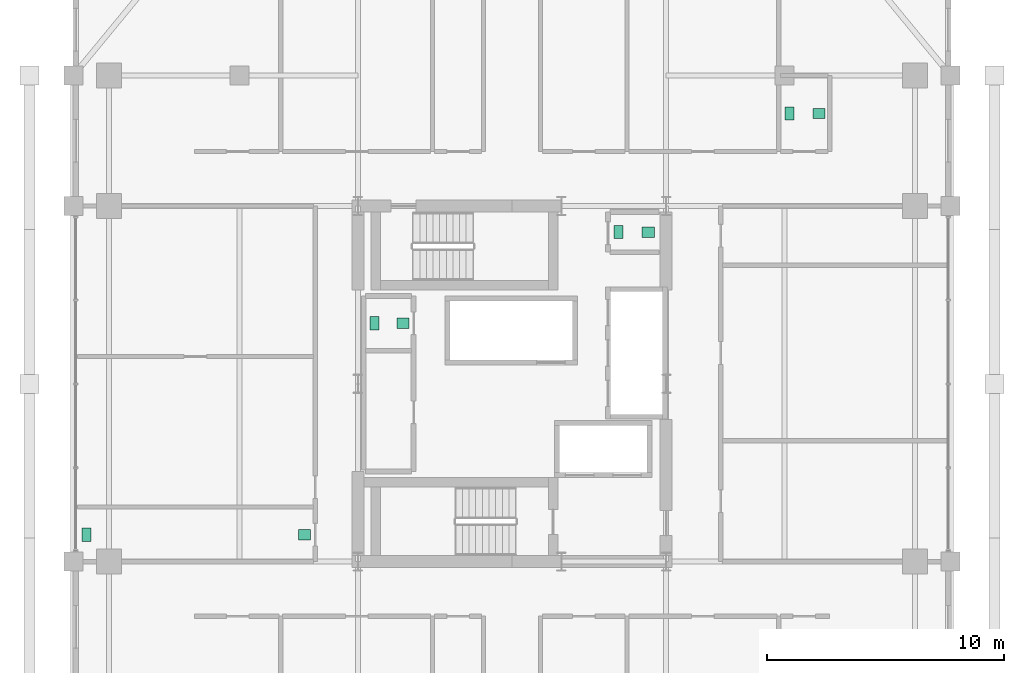
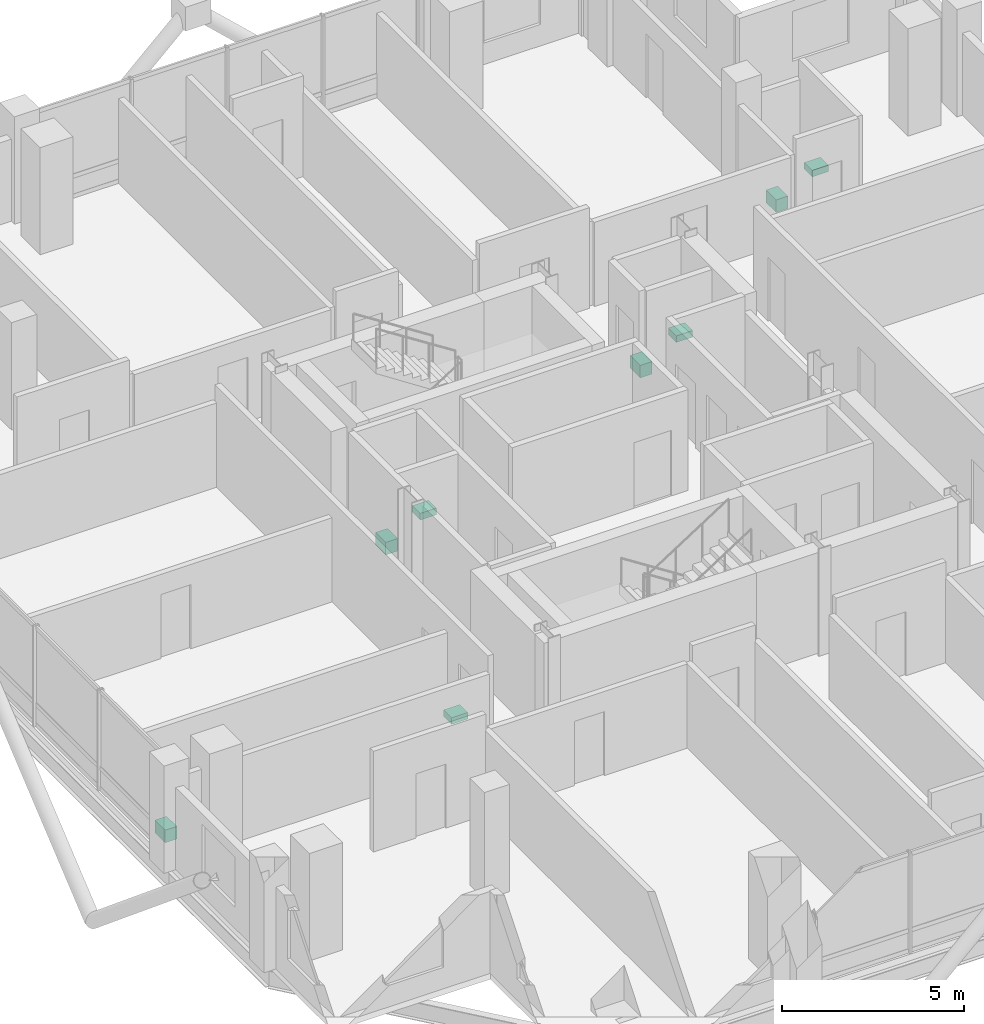
# One storey, part 23 of 23: 8 sanitary terminals.
"""IFC4 building model written with IfcOpenShell, lengths in metres."""

import ifcopenshell
import ifcopenshell.guid

model = None  # the IFC model being written
_history = None  # IfcOwnerHistory: only IFC2X3 demands one
_inside = {}  # id of a spatial element -> (the spatial element, [elements in it])
_under = {}  # id of a project, library or spatial element -> (it, [spatial elements below it])
_declared = {}  # id of a project -> (the project, [libraries it declares])
_typed = {}  # id of a type object -> (the type object, [elements of that type])
_made_of = {}  # id of a material, layer set ... -> (it, [elements and type objects made of it])


def new_model(schema):
    """Start an empty IFC model of exactly this schema.

    Asked for "IFC4X3", IfcOpenShell would pick the latest addendum, in which some entities
    have other attributes; the version numbers below select the first issue.
    IFC2X3 requires an IfcOwnerHistory on every rooted entity: one is made here for all.
    """
    global model, _history
    if schema == "IFC4X3":
        model = ifcopenshell.file(schema_version=(4, 3, 0, 0))
    else:
        model = ifcopenshell.file(schema=schema)
    _inside.clear()
    _under.clear()
    _declared.clear()
    _typed.clear()
    _made_of.clear()
    _history = None
    if model.schema == "IFC2X3":
        org = make("IfcOrganization", Name="unknown")
        user = make(
            "IfcPersonAndOrganization",
            ThePerson=make("IfcPerson", FamilyName="unknown"),
            TheOrganization=org,
        )
        app = make(
            "IfcApplication",
            ApplicationDeveloper=org,
            Version="unknown",
            ApplicationFullName="unknown",
            ApplicationIdentifier="unknown",
        )
        _history = make(
            "IfcOwnerHistory",
            OwningUser=user,
            OwningApplication=app,
            ChangeAction="ADDED",
            CreationDate=0,
        )
    return model


def make(cls, **values):
    """One entity of the class cls with the attributes given. An attribute that is None is left unset."""
    return model.create_entity(
        cls, **{name: value for name, value in values.items() if value is not None}
    )


def rooted(cls, **values):
    """An entity with a GlobalId (a new one), such as an element, a storey or a relation."""
    return make(cls, GlobalId=ifcopenshell.guid.new(), OwnerHistory=_history, **values)


def si_unit(unit_type, name, prefix=None):
    """IfcSIUnit, for example si_unit("LENGTHUNIT", "METRE", prefix="MILLI")."""
    return make("IfcSIUnit", UnitType=unit_type, Prefix=prefix, Name=name)


def assignment(units):
    """IfcUnitAssignment: the units of a project."""
    return None if units is None else make("IfcUnitAssignment", Units=units)


def point(xyz):
    """IfcCartesianPoint."""
    return None if xyz is None else make("IfcCartesianPoint", Coordinates=xyz)


def direction(xyz):
    """IfcDirection."""
    return None if xyz is None else make("IfcDirection", DirectionRatios=xyz)


def frame(location, z_axis=None, x_axis=None):
    """IfcAxis2Placement3D, a coordinate frame: its origin and axes. An axis left out is left unset."""
    return make(
        "IfcAxis2Placement3D",
        Location=point(location),
        Axis=direction(z_axis),
        RefDirection=direction(x_axis),
    )


def frame_2d(location, x_axis=None):
    """IfcAxis2Placement2D, a coordinate frame in the plane: its origin and x axis."""
    return make(
        "IfcAxis2Placement2D", Location=point(location), RefDirection=direction(x_axis)
    )


def origin():
    """The frame at (0, 0, 0) with its axes left unset."""
    return frame((0.0, 0.0, 0.0))


def origin_2d():
    """The frame at (0, 0) in the plane with its x axis left unset."""
    return frame_2d((0.0, 0.0))


def place(relative_to, where):
    """IfcLocalPlacement: puts the frame where relative to a parent placement (None: the world)."""
    return make(
        "IfcLocalPlacement", PlacementRelTo=relative_to, RelativePlacement=where
    )


def context(
    kind, dimensions, precision=None, world=None, true_north=None, identifier=None
):
    """IfcGeometricRepresentationContext, for example the 3D "Model" context."""
    return make(
        "IfcGeometricRepresentationContext",
        ContextIdentifier=identifier,
        ContextType=kind,
        CoordinateSpaceDimension=dimensions,
        Precision=precision,
        WorldCoordinateSystem=world,
        TrueNorth=true_north,
    )


def subcontext(parent, identifier, kind, view, scale=None):
    """IfcGeometricRepresentationSubContext, for example "Body" below "Model"."""
    return make(
        "IfcGeometricRepresentationSubContext",
        ContextIdentifier=identifier,
        ContextType=kind,
        ParentContext=parent,
        TargetScale=scale,
        TargetView=view,
    )


def project(units=None, contexts=None):
    """IfcProject with its units and contexts."""
    return rooted(
        "IfcProject",
        Name="project",
        RepresentationContexts=contexts,
        UnitsInContext=assignment(units),
    )


def spatial(cls, under=None, at=None, **own):
    """A site, building, storey or space (cls), placed at a placement, below another one or the project."""
    s = rooted(cls, ObjectPlacement=at, **own)
    if under is not None:
        _under.setdefault(under.id(), (under, []))[1].append(s)
    return s


def profile(cls, at=None, kind="AREA", **sizes):
    """A parametric profile (cls). Its sizes go by their IFC names, for example OverallWidth=200.0."""
    return make(cls, ProfileType=kind, Position=at, **sizes)


def rectangle(**sizes):
    """IfcRectangleProfileDef."""
    return profile("IfcRectangleProfileDef", **sizes)


def extrude(swept, where, along, depth):
    """IfcExtrudedAreaSolid: the profile swept, set in the frame where, extruded along a direction by depth."""
    return make(
        "IfcExtrudedAreaSolid",
        SweptArea=swept,
        Position=where,
        ExtrudedDirection=direction(along),
        Depth=depth,
    )


def shape(context_of_items, identifier, shape_type, items):
    """IfcShapeRepresentation: the items that make up one representation, for example the "Body"."""
    return make(
        "IfcShapeRepresentation",
        ContextOfItems=context_of_items,
        RepresentationIdentifier=identifier,
        RepresentationType=shape_type,
        Items=items,
    )


def material(Name=None, Category=None):
    """IfcMaterial."""
    return make("IfcMaterial", Name=Name, Category=Category)


def made_of(thing, what):
    """Note that an element or type object is made of a material, layer set ...; save() writes the relation."""
    if what is not None:
        _made_of.setdefault(what.id(), (what, []))[1].append(thing)
    return thing


def type_object(cls, material=None, **own):
    """A type object (cls), such as IfcWallType, which elements share."""
    return made_of(rooted(cls, **own), material)


def element(
    cls,
    number,
    at=None,
    inside=None,
    cuts=None,
    type_object=None,
    material=None,
    context=None,
    identifier="Body",
    shape_type=None,
    held_by="IfcProductDefinitionShape",
    body=None,
    shapes=None,
    **own,
):
    """One element of the class cls, such as IfcWall. Its Tag is "e" and its number.

    at: its placement. inside: the storey or other place that contains it. cuts: it is an
    opening in that element (IfcRelVoidsElement). A single representation is given by context,
    identifier, shape_type and body (its items); several are given by shapes. held_by: the class
    of the entity that holds the representations. save() writes the other relations.
    """
    e = rooted(cls, Tag="e%d" % number, ObjectPlacement=at, **own)
    if body is not None:
        shapes = [shape(context, identifier, shape_type, body)]
    if shapes is not None:
        e.Representation = make(held_by, Representations=shapes)
    if inside is not None:
        _inside.setdefault(inside.id(), (inside, []))[1].append(e)
    if cuts is not None:
        rooted(
            "IfcRelVoidsElement", RelatingBuildingElement=cuts, RelatedOpeningElement=e
        )
    if type_object is not None:
        _typed.setdefault(type_object.id(), (type_object, []))[1].append(e)
    return made_of(e, material)


def aggregate(whole, parts):
    """IfcRelAggregates: a whole, such as a stair, and the parts it consists of."""
    return rooted("IfcRelAggregates", RelatingObject=whole, RelatedObjects=parts)


def save(model, path):
    """Write the relations noted so far, then the file.

    IfcRelAggregates (storeys below a building ...), IfcRelContainedInSpatialStructure (elements
    in a storey), IfcRelDefinesByType, IfcRelAssociatesMaterial and IfcRelDeclares: one each for
    every whole, place, type object, material and project.
    """
    for whole, parts in _under.values():
        aggregate(whole, parts)
    for where, things in _inside.values():
        rooted(
            "IfcRelContainedInSpatialStructure",
            RelatedElements=things,
            RelatingStructure=where,
        )
    for kind, things in _typed.values():
        rooted("IfcRelDefinesByType", RelatedObjects=things, RelatingType=kind)
    for what, things in _made_of.values():
        rooted("IfcRelAssociatesMaterial", RelatedObjects=things, RelatingMaterial=what)
    for by, libraries in _declared.values():
        rooted("IfcRelDeclares", RelatingContext=by, RelatedDefinitions=libraries)
    model.write(path)


model = new_model("IFC4")

# Units and contexts
model_context = context("Model", 3, precision=1e-05, world=origin(), true_north=direction((0.0, 1.0)))
body_context = subcontext(model_context, "Body", "Model", "MODEL_VIEW")
ifc_project = project(units=[si_unit("LENGTHUNIT", "METRE"), si_unit("AREAUNIT", "SQUARE_METRE"), si_unit("VOLUMEUNIT", "CUBIC_METRE"), si_unit("PLANEANGLEUNIT", "RADIAN"), si_unit("MASSUNIT", "GRAM", prefix="KILO")], contexts=[model_context])

# Site, building, storey
site_placement = place(None, origin())
site = spatial("IfcSite", under=ifc_project, at=site_placement, CompositionType="ELEMENT")
building_placement = place(site_placement, origin())
building = spatial("IfcBuilding", under=site, at=building_placement, Name="Barlavira Tower and Art Museum", CompositionType="ELEMENT")
storey_placement = place(building_placement, frame((0.0, 0.0, 205.199951171875)))
storey = spatial("IfcBuildingStorey", under=building, at=storey_placement, Name="L53", CompositionType="ELEMENT", Elevation=205.199951171875)

# Sanitary terminals
ifc_material = material(Name="Vitreous glazed ceramic", Category="ceramic")
sanitary_terminal_type_1 = type_object("IfcSanitaryTerminalType", Name="Countertop Ceramic Wash Hand Basin", PredefinedType="WASHHANDBASIN", material=ifc_material)
for number, where, z_axis, x_axis, name in (
    (1, (-4.60009765625, 2.550048828125, 0.740234375), (0.0, 0.0, 1.0), (1.0, 0.0, 0.0), "L53-C-REC1W Wash Basin"),
    (2, (5.75, 6.39990234375, 0.740234375), (0.0, 0.0, 1.0), (1.0, 0.0, 0.0), "L53-C-AWC4 Wash Basin"),
    (3, (12.949951171875, 11.39990234375, 0.740234375), (0.0, 0.0, 1.0), (1.0, 0.0, 0.0), "L53-NE-SWC Wash Basin"),
    (4, (-8.75, -6.360107421875, 0.740234375), (0.0, 0.0, 1.0), (1.0, 0.0, 0.0), "L53-W-SWC Wash Basin"),
):
    element("IfcSanitaryTerminal", number, at=place(storey_placement, frame(where, z_axis=z_axis, x_axis=x_axis)), inside=storey, type_object=sanitary_terminal_type_1, Name=name, PredefinedType="WASHHANDBASIN", context=body_context, shape_type="SweptSolid", body=[
        extrude(rectangle(XDim=0.52001953125, YDim=0.43994140625, at=origin_2d()), origin(), (0.0, 0.0, 1.0), 0.219970703125),
    ])
sanitary_terminal_type_2 = type_object("IfcSanitaryTerminalType", Name="Wall-Hung Dual-Flush Vitreous WC Pan", PredefinedType="TOILETPAN", material=ifc_material)
for number, where, z_axis, x_axis, name in (
    (5, (-5.800048828125, 2.550048828125, 0.0), (0.0, 0.0, 1.0), (1.0, 0.0, 0.0), "L53-C-REC1W WC Pan"),
    (6, (4.5, 6.39990234375, 0.0), (0.0, 0.0, 1.0), (1.0, 0.0, 0.0), "L53-C-AWC4 WC Pan"),
    (7, (11.699951171875, 11.39990234375, 0.0), (0.0, 0.0, 1.0), (1.0, 0.0, 0.0), "L53-NE-SWC WC Pan"),
    (8, (-17.949951171875, -6.360107421875, 0.0), (0.0, 0.0, 1.0), (1.0, 0.0, 0.0), "L53-W-SWC WC Pan"),
):
    element("IfcSanitaryTerminal", number, at=place(storey_placement, frame(where, z_axis=z_axis, x_axis=x_axis)), inside=storey, type_object=sanitary_terminal_type_2, Name=name, PredefinedType="TOILETPAN", context=body_context, shape_type="SweptSolid", body=[
        extrude(rectangle(XDim=0.3798828125, YDim=0.56005859375, at=origin_2d()), origin(), (0.0, 0.0, 1.0), 0.419921875),
    ])

save(model, "model.ifc")
